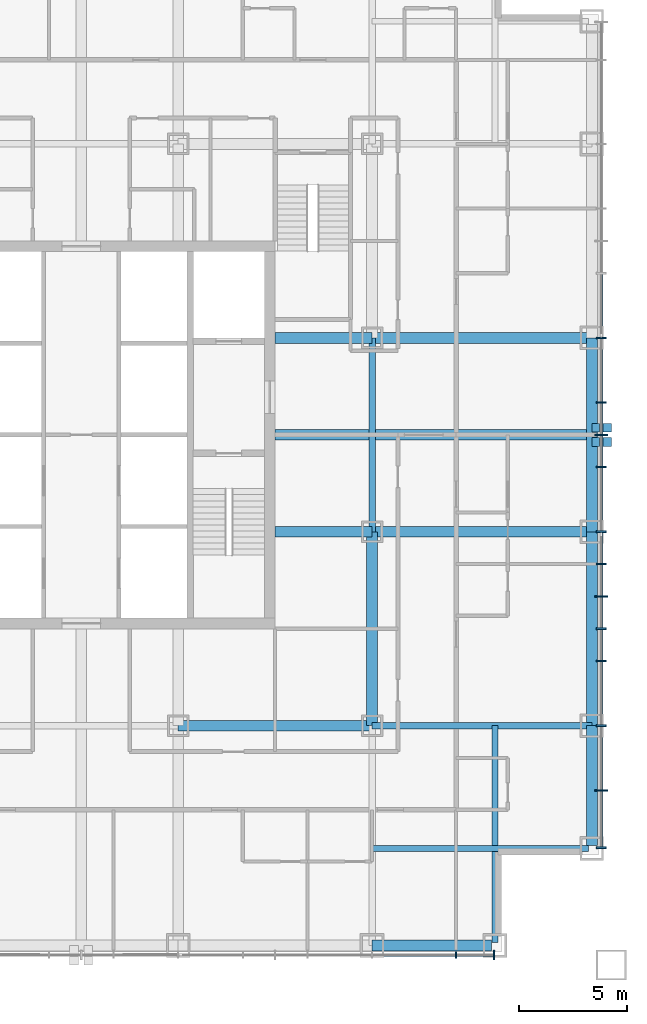
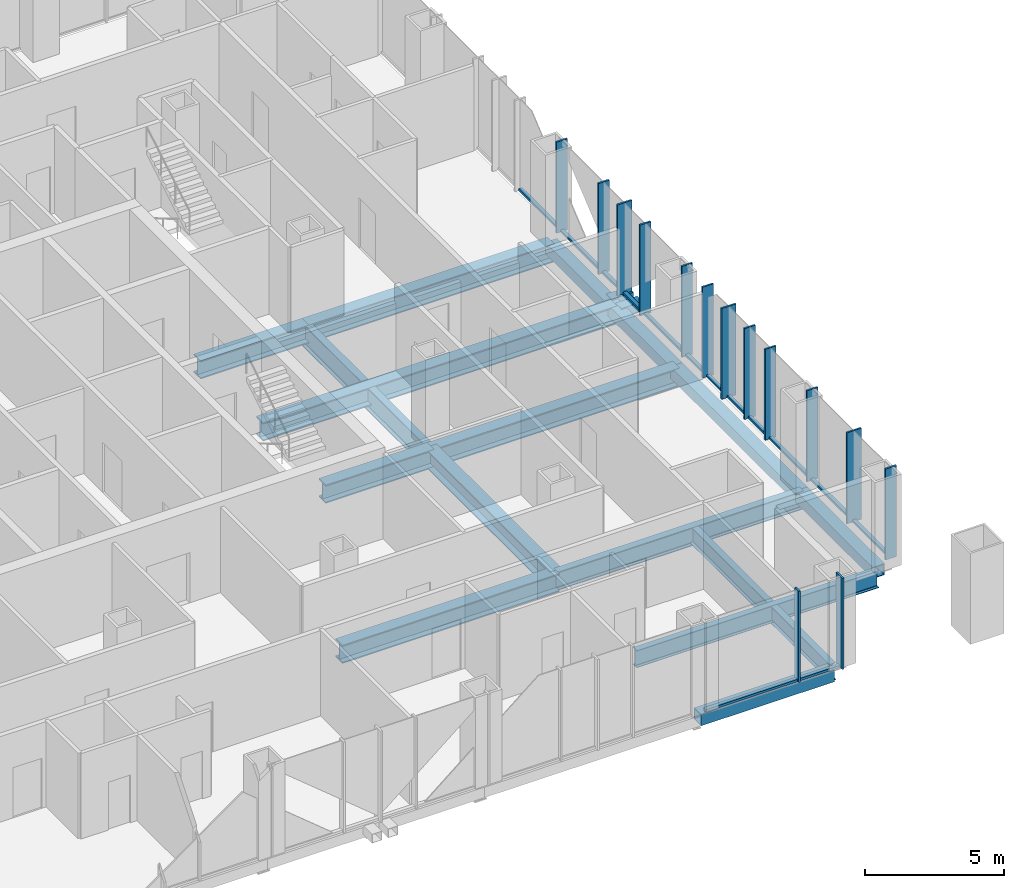
# One storey, part 4 of 17: 30 members, 15 beams, 2 elements without a shape of their own.
"""IFC4 building model written with IfcOpenShell, lengths in metres."""

from ifc_helpers import new_model, si_unit, direction, frame, origin, origin_2d, place, context, subcontext, project, spatial, rectangle, hollow_rectangle, i_section, extrude, material, layer, layer_set, material_profile, profile_set, type_object, element, aggregate, save


model = new_model("IFC4")

# Units and contexts
model_context = context("Model", 3, precision=1e-05, world=origin(), true_north=direction((0.0, 1.0)))
body_context = subcontext(model_context, "Body", "Model", "MODEL_VIEW")
ifc_project = project(units=[si_unit("LENGTHUNIT", "METRE"), si_unit("AREAUNIT", "SQUARE_METRE"), si_unit("VOLUMEUNIT", "CUBIC_METRE"), si_unit("PLANEANGLEUNIT", "RADIAN"), si_unit("MASSUNIT", "GRAM", prefix="KILO")], contexts=[model_context])

# Site, building, storey
site_placement = place(None, origin())
site = spatial("IfcSite", under=ifc_project, at=site_placement, CompositionType="ELEMENT")
building_placement = place(site_placement, origin())
building = spatial("IfcBuilding", under=site, at=building_placement, Name="Malebo Sky Hospital", CompositionType="ELEMENT")
storey_placement = place(building_placement, frame((0.0, 0.0, 120.0)))
storey = spatial("IfcBuildingStorey", under=building, at=storey_placement, Name="L28", CompositionType="ELEMENT", Elevation=120.0)

# Curtain wall, members
ifc_material_1 = material(Name="Anodised aluminium, natural silver", Category="aluminium")
ifc_layer_1 = layer(ifc_material_1, 0.25)
ifc_layer_set_1 = layer_set([ifc_layer_1], Name="WARD CURTAIN WALL NORTH AND SOUTH")
curtain_wall_type_1 = type_object("IfcCurtainWallType", Name="WARD CURTAIN WALL NORTH AND SOUTH", PredefinedType="NOTDEFINED", material=ifc_layer_set_1)
curtain_wall_1_placement = place(storey_placement, origin())
curtain_wall_1 = element("IfcCurtainWall", 1, at=curtain_wall_1_placement, inside=storey, type_object=curtain_wall_type_1, Name="NS curtain wall S", PredefinedType="NOTDEFINED")
ifc_material_profile_1 = material_profile(ifc_material_1, rectangle(XDim=0.14990234375, YDim=0.10009765625, at=origin_2d()), Name="ALUMINIUM TRANSOM 150x100")
ifc_profile_set_1 = profile_set([ifc_material_profile_1], Name="Anodised aluminium, natural silver")
member_type_1 = type_object("IfcMemberType", Name="ALUMINIUM TRANSOM 150x100", PredefinedType="USERDEFINED", material=ifc_profile_set_1)
member_1_placement = place(storey_placement, frame((79.125, 37.864990234375, 0.050048828125), z_axis=(-1.0, 0.0, 0.0), x_axis=(0.0, -1.0, 0.0)))
member_1 = element("IfcMember", 2, at=member_1_placement, type_object=member_type_1, Name="Transom 1", ObjectType="TRANSOM", PredefinedType="USERDEFINED", context=body_context, shape_type="SweptSolid", body=[
    extrude(rectangle(XDim=0.14990234375, YDim=0.10009765625, at=origin_2d()), origin(), (0.0, 0.0, 1.0), 1.6875),
])
member_2_placement = place(storey_placement, frame((77.362548828125, 37.864990234375, 0.050048828125), z_axis=(-1.0, 0.0, 0.0), x_axis=(0.0, -1.0, 0.0)))
member_2 = element("IfcMember", 3, at=member_2_placement, type_object=member_type_1, Name="Transom 2", ObjectType="TRANSOM", PredefinedType="USERDEFINED", context=body_context, shape_type="SweptSolid", body=[
    extrude(rectangle(XDim=0.14990234375, YDim=0.10009765625, at=origin_2d()), origin(), (0.0, 0.0, 1.0), 3.824951171875),
])

ifc_layer_2 = layer(ifc_material_1, 0.25)
ifc_layer_set_2 = layer_set([ifc_layer_2], Name="WARD CURTAIN WALL EAST AND WEST")
curtain_wall_type_2 = type_object("IfcCurtainWallType", Name="WARD CURTAIN WALL EAST AND WEST", PredefinedType="NOTDEFINED", material=ifc_layer_set_2)
curtain_wall_2_placement = place(storey_placement, origin())
curtain_wall_2 = element("IfcCurtainWall", 4, at=curtain_wall_2_placement, inside=storey, type_object=curtain_wall_type_2, Name="EW curtain wall E", PredefinedType="NOTDEFINED")
member_3_placement = place(storey_placement, frame((84.135009765625, 69.46240234375, 0.050048828125), z_axis=(0.0, -1.0, 0.0), x_axis=(1.0, 0.0, 0.0)))
member_3 = element("IfcMember", 5, at=member_3_placement, type_object=member_type_1, Name="Transom 6", ObjectType="TRANSOM", PredefinedType="USERDEFINED", context=body_context, shape_type="SweptSolid", body=[
    extrude(rectangle(XDim=0.14990234375, YDim=0.10009765625, at=origin_2d()), origin(), (0.0, 0.0, 1.0), 2.9248046875),
])
member_4_placement = place(storey_placement, frame((84.135009765625, 66.46240234375, 0.050048828125), z_axis=(0.0, -1.0, 0.0), x_axis=(1.0, 0.0, 0.0)))
member_4 = element("IfcMember", 6, at=member_4_placement, type_object=member_type_1, Name="Transom 7", ObjectType="TRANSOM", PredefinedType="USERDEFINED", context=body_context, shape_type="SweptSolid", body=[
    extrude(rectangle(XDim=0.14990234375, YDim=0.10009765625, at=origin_2d()), origin(), (0.0, 0.0, 1.0), 2.9248046875),
])
member_5_placement = place(storey_placement, frame((84.135009765625, 63.46240234375, 0.050048828125), z_axis=(0.0, -1.0, 0.0), x_axis=(1.0, 0.0, 0.0)))
member_5 = element("IfcMember", 7, at=member_5_placement, type_object=member_type_1, Name="Transom 8", ObjectType="TRANSOM", PredefinedType="USERDEFINED", context=body_context, shape_type="SweptSolid", body=[
    extrude(rectangle(XDim=0.14990234375, YDim=0.10009765625, at=origin_2d()), origin(), (0.0, 0.0, 1.0), 1.4248046875),
])
member_6_placement = place(storey_placement, frame((84.135009765625, 61.96240234375, 0.050048828125), z_axis=(0.0, -1.0, 0.0), x_axis=(1.0, 0.0, 0.0)))
member_6 = element("IfcMember", 8, at=member_6_placement, type_object=member_type_1, Name="Transom 9", ObjectType="TRANSOM", PredefinedType="USERDEFINED", context=body_context, shape_type="SweptSolid", body=[
    extrude(rectangle(XDim=0.14990234375, YDim=0.10009765625, at=origin_2d()), origin(), (0.0, 0.0, 1.0), 1.4248046875),
])
member_7_placement = place(storey_placement, frame((84.135009765625, 60.46240234375, 0.050048828125), z_axis=(0.0, -1.0, 0.0), x_axis=(1.0, 0.0, 0.0)))
member_7 = element("IfcMember", 9, at=member_7_placement, type_object=member_type_1, Name="Transom 10", ObjectType="TRANSOM", PredefinedType="USERDEFINED", context=body_context, shape_type="SweptSolid", body=[
    extrude(rectangle(XDim=0.14990234375, YDim=0.10009765625, at=origin_2d()), origin(), (0.0, 0.0, 1.0), 2.9248046875),
])
member_8_placement = place(storey_placement, frame((84.135009765625, 57.46240234375, 0.050048828125), z_axis=(0.0, -1.0, 0.0), x_axis=(1.0, 0.0, 0.0)))
member_8 = element("IfcMember", 10, at=member_8_placement, type_object=member_type_1, Name="Transom 11", ObjectType="TRANSOM", PredefinedType="USERDEFINED", context=body_context, shape_type="SweptSolid", body=[
    extrude(rectangle(XDim=0.14990234375, YDim=0.10009765625, at=origin_2d()), origin(), (0.0, 0.0, 1.0), 1.4248046875),
])
member_9_placement = place(storey_placement, frame((84.135009765625, 55.96240234375, 0.050048828125), z_axis=(0.0, -1.0, 0.0), x_axis=(1.0, 0.0, 0.0)))
member_9 = element("IfcMember", 11, at=member_9_placement, type_object=member_type_1, Name="Transom 12", ObjectType="TRANSOM", PredefinedType="USERDEFINED", context=body_context, shape_type="SweptSolid", body=[
    extrude(rectangle(XDim=0.14990234375, YDim=0.10009765625, at=origin_2d()), origin(), (0.0, 0.0, 1.0), 1.4248046875),
])
member_10_placement = place(storey_placement, frame((84.135009765625, 54.46240234375, 0.050048828125), z_axis=(0.0, -1.0, 0.0), x_axis=(1.0, 0.0, 0.0)))
member_10 = element("IfcMember", 12, at=member_10_placement, type_object=member_type_1, Name="Transom 13", ObjectType="TRANSOM", PredefinedType="USERDEFINED", context=body_context, shape_type="SweptSolid", body=[
    extrude(rectangle(XDim=0.14990234375, YDim=0.10009765625, at=origin_2d()), origin(), (0.0, 0.0, 1.0), 1.4248046875),
])
member_11_placement = place(storey_placement, frame((84.135009765625, 52.96240234375, 0.050048828125), z_axis=(0.0, -1.0, 0.0), x_axis=(1.0, 0.0, 0.0)))
member_11 = element("IfcMember", 13, at=member_11_placement, type_object=member_type_1, Name="Transom 14", ObjectType="TRANSOM", PredefinedType="USERDEFINED", context=body_context, shape_type="SweptSolid", body=[
    extrude(rectangle(XDim=0.14990234375, YDim=0.10009765625, at=origin_2d()), origin(), (0.0, 0.0, 1.0), 1.4248046875),
])
member_12_placement = place(storey_placement, frame((84.135009765625, 51.46240234375, 0.050048828125), z_axis=(0.0, -1.0, 0.0), x_axis=(1.0, 0.0, 0.0)))
member_12 = element("IfcMember", 14, at=member_12_placement, type_object=member_type_1, Name="Transom 15", ObjectType="TRANSOM", PredefinedType="USERDEFINED", context=body_context, shape_type="SweptSolid", body=[
    extrude(rectangle(XDim=0.14990234375, YDim=0.10009765625, at=origin_2d()), origin(), (0.0, 0.0, 1.0), 2.9248046875),
])
member_13_placement = place(storey_placement, frame((84.135009765625, 48.46240234375, 0.050048828125), z_axis=(0.0, -1.0, 0.0), x_axis=(1.0, 0.0, 0.0)))
member_13 = element("IfcMember", 15, at=member_13_placement, type_object=member_type_1, Name="Transom 16", ObjectType="TRANSOM", PredefinedType="USERDEFINED", context=body_context, shape_type="SweptSolid", body=[
    extrude(rectangle(XDim=0.14990234375, YDim=0.10009765625, at=origin_2d()), origin(), (0.0, 0.0, 1.0), 2.9248046875),
])
member_14_placement = place(storey_placement, frame((84.135009765625, 45.46240234375, 0.050048828125), z_axis=(0.0, -1.0, 0.0), x_axis=(1.0, 0.0, 0.0)))
member_14 = element("IfcMember", 16, at=member_14_placement, type_object=member_type_1, Name="Transom 17", ObjectType="TRANSOM", PredefinedType="USERDEFINED", context=body_context, shape_type="SweptSolid", body=[
    extrude(rectangle(XDim=0.14990234375, YDim=0.10009765625, at=origin_2d()), origin(), (0.0, 0.0, 1.0), 2.58740234375),
])

# Members
ifc_material_2 = material(Name="Steel S355", Category="steel")
ifc_material_profile_2 = material_profile(ifc_material_2, hollow_rectangle(XDim=0.39990234375, YDim=0.39990234375, WallThickness=0.02001953125, at=origin_2d()), Name="SHS 400x20")
ifc_profile_set_2 = profile_set([ifc_material_profile_2], Name="Steel S355")
member_type_2 = type_object("IfcMemberType", Name="BRACE STRUT SHS 400x20", PredefinedType="STRUT", material=ifc_profile_set_2)
for number, where, z_axis, x_axis, name in (
    (17, (84.60009765625, 62.333740234375, -0.39990234375), (-1.0, 0.0, 0.0), (0.0, -1.0, 0.0), "Brace strut BE1 L28"),
    (18, (84.60009765625, 61.666259765625, -0.39990234375), (-1.0, 0.0, 0.0), (0.0, -1.0, 0.0), "Brace strut BE2 L28"),
):
    element("IfcMember", number, at=place(storey_placement, frame(where, z_axis=z_axis, x_axis=x_axis)), inside=storey, type_object=member_type_2, Name=name, PredefinedType="STRUT", context=body_context, shape_type="SweptSolid", body=[
        extrude(hollow_rectangle(XDim=0.39990234375, YDim=0.39990234375, WallThickness=0.02001953125, at=origin_2d()), origin(), (0.0, 0.0, 1.0), 0.900146484375),
    ])

# Member
ifc_material_profile_3 = material_profile(ifc_material_1, rectangle(XDim=0.074951171875, YDim=0.300048828125, at=origin_2d()), Name="CW1 ALUMINIUM FIN MULLION 75x300")
ifc_profile_set_3 = profile_set([ifc_material_profile_3], Name="Anodised aluminium, natural silver")
member_type_3 = type_object("IfcMemberType", Name="CW1 ALUMINIUM FIN MULLION 75x300", PredefinedType="MULLION", material=ifc_profile_set_3)
member_15_placement = place(storey_placement, frame((77.39990234375, 37.864990234375, 0.0), z_axis=(0.0, 0.0, 1.0), x_axis=(-1.0, 0.0, 0.0)))
member_15 = element("IfcMember", 19, at=member_15_placement, type_object=member_type_3, Name="Fin mullion 2", PredefinedType="MULLION", context=body_context, shape_type="SweptSolid", body=[
    extrude(rectangle(XDim=0.074951171875, YDim=0.300048828125, at=origin_2d()), origin(), (0.0, 0.0, 1.0), 4.0),
])

ifc_material_profile_4 = material_profile(ifc_material_1, rectangle(XDim=0.074951171875, YDim=0.449951171875, at=origin_2d()), Name="CW1 ALUMINIUM FIN MULLION 75x450")
ifc_profile_set_4 = profile_set([ifc_material_profile_4], Name="Anodised aluminium, natural silver")
member_type_4 = type_object("IfcMemberType", Name="CW1 ALUMINIUM FIN MULLION 75x450", PredefinedType="MULLION", material=ifc_profile_set_4)
member_16_placement = place(storey_placement, frame((79.16259765625, 37.864990234375, 0.0), z_axis=(0.0, 0.0, 1.0), x_axis=(-1.0, 0.0, 0.0)))
member_16 = element("IfcMember", 20, at=member_16_placement, type_object=member_type_4, Name="Fin mullion 1", PredefinedType="MULLION", context=body_context, shape_type="SweptSolid", body=[
    extrude(rectangle(XDim=0.074951171875, YDim=0.449951171875, at=origin_2d()), origin(), (0.0, 0.0, 1.0), 4.0),
])

aggregate(curtain_wall_1, [member_16, member_15, member_1, member_2])

ifc_material_profile_5 = material_profile(ifc_material_1, rectangle(XDim=0.074951171875, YDim=0.449951171875, at=origin_2d()), Name="CW2 ALUMINIUM FIN MULLION 75x450")
ifc_profile_set_5 = profile_set([ifc_material_profile_5], Name="Anodised aluminium, natural silver")
member_type_5 = type_object("IfcMemberType", Name="CW2 ALUMINIUM FIN MULLION 75x450", PredefinedType="MULLION", material=ifc_profile_set_5)
member_17_placement = place(storey_placement, frame((84.135009765625, 66.5, 0.0), z_axis=(0.0, 0.0, 1.0), x_axis=(0.0, -1.0, 0.0)))
member_17 = element("IfcMember", 21, at=member_17_placement, type_object=member_type_5, Name="Fin mullion 7", PredefinedType="MULLION", context=body_context, shape_type="SweptSolid", body=[
    extrude(rectangle(XDim=0.074951171875, YDim=0.449951171875, at=origin_2d()), origin(), (0.0, 0.0, 1.0), 4.0),
])

member_18_placement = place(storey_placement, frame((84.135009765625, 63.5, 0.0), z_axis=(0.0, 0.0, 1.0), x_axis=(0.0, -1.0, 0.0)))
member_18 = element("IfcMember", 22, at=member_18_placement, type_object=member_type_5, Name="Fin mullion 8", PredefinedType="MULLION", context=body_context, shape_type="SweptSolid", body=[
    extrude(rectangle(XDim=0.074951171875, YDim=0.449951171875, at=origin_2d()), origin(), (0.0, 0.0, 1.0), 4.0),
])

member_19_placement = place(storey_placement, frame((84.135009765625, 60.5, 0.0), z_axis=(0.0, 0.0, 1.0), x_axis=(0.0, -1.0, 0.0)))
member_19 = element("IfcMember", 23, at=member_19_placement, type_object=member_type_5, Name="Fin mullion 10", PredefinedType="MULLION", context=body_context, shape_type="SweptSolid", body=[
    extrude(rectangle(XDim=0.074951171875, YDim=0.449951171875, at=origin_2d()), origin(), (0.0, 0.0, 1.0), 4.0),
])

member_20_placement = place(storey_placement, frame((84.135009765625, 57.5, 0.0), z_axis=(0.0, 0.0, 1.0), x_axis=(0.0, -1.0, 0.0)))
member_20 = element("IfcMember", 24, at=member_20_placement, type_object=member_type_5, Name="Fin mullion 11", PredefinedType="MULLION", context=body_context, shape_type="SweptSolid", body=[
    extrude(rectangle(XDim=0.074951171875, YDim=0.449951171875, at=origin_2d()), origin(), (0.0, 0.0, 1.0), 4.0),
])

member_21_placement = place(storey_placement, frame((84.135009765625, 56.0, 0.0), z_axis=(0.0, 0.0, 1.0), x_axis=(0.0, -1.0, 0.0)))
member_21 = element("IfcMember", 25, at=member_21_placement, type_object=member_type_5, Name="Fin mullion 12", PredefinedType="MULLION", context=body_context, shape_type="SweptSolid", body=[
    extrude(rectangle(XDim=0.074951171875, YDim=0.449951171875, at=origin_2d()), origin(), (0.0, 0.0, 1.0), 4.0),
])

member_22_placement = place(storey_placement, frame((84.135009765625, 53.0, 0.0), z_axis=(0.0, 0.0, 1.0), x_axis=(0.0, -1.0, 0.0)))
member_22 = element("IfcMember", 26, at=member_22_placement, type_object=member_type_5, Name="Fin mullion 14", PredefinedType="MULLION", context=body_context, shape_type="SweptSolid", body=[
    extrude(rectangle(XDim=0.074951171875, YDim=0.449951171875, at=origin_2d()), origin(), (0.0, 0.0, 1.0), 4.0),
])

member_23_placement = place(storey_placement, frame((84.135009765625, 51.5, 0.0), z_axis=(0.0, 0.0, 1.0), x_axis=(0.0, -1.0, 0.0)))
member_23 = element("IfcMember", 27, at=member_23_placement, type_object=member_type_5, Name="Fin mullion 15", PredefinedType="MULLION", context=body_context, shape_type="SweptSolid", body=[
    extrude(rectangle(XDim=0.074951171875, YDim=0.449951171875, at=origin_2d()), origin(), (0.0, 0.0, 1.0), 4.0),
])

member_24_placement = place(storey_placement, frame((84.135009765625, 48.5, 0.0), z_axis=(0.0, 0.0, 1.0), x_axis=(0.0, -1.0, 0.0)))
member_24 = element("IfcMember", 28, at=member_24_placement, type_object=member_type_5, Name="Fin mullion 16", PredefinedType="MULLION", context=body_context, shape_type="SweptSolid", body=[
    extrude(rectangle(XDim=0.074951171875, YDim=0.449951171875, at=origin_2d()), origin(), (0.0, 0.0, 1.0), 4.0),
])

member_25_placement = place(storey_placement, frame((84.135009765625, 42.83740234375, 0.0), z_axis=(0.0, 0.0, 1.0), x_axis=(0.0, -1.0, 0.0)))
member_25 = element("IfcMember", 29, at=member_25_placement, type_object=member_type_5, Name="Fin mullion 18", PredefinedType="MULLION", context=body_context, shape_type="SweptSolid", body=[
    extrude(rectangle(XDim=0.074951171875, YDim=0.449951171875, at=origin_2d()), origin(), (0.0, 0.0, 1.0), 4.0),
])

ifc_material_profile_6 = material_profile(ifc_material_1, rectangle(XDim=0.074951171875, YDim=0.60009765625, at=origin_2d()), Name="CW2 ALUMINIUM FIN MULLION 75x600")
ifc_profile_set_6 = profile_set([ifc_material_profile_6], Name="Anodised aluminium, natural silver")
member_type_6 = type_object("IfcMemberType", Name="CW2 ALUMINIUM FIN MULLION 75x600", PredefinedType="MULLION", material=ifc_profile_set_6)
member_26_placement = place(storey_placement, frame((84.135009765625, 62.0, 0.0), z_axis=(0.0, 0.0, 1.0), x_axis=(0.0, -1.0, 0.0)))
member_26 = element("IfcMember", 30, at=member_26_placement, type_object=member_type_6, Name="Fin mullion 9", PredefinedType="MULLION", context=body_context, shape_type="SweptSolid", body=[
    extrude(rectangle(XDim=0.074951171875, YDim=0.60009765625, at=origin_2d()), origin(), (0.0, 0.0, 1.0), 4.0),
])

member_27_placement = place(storey_placement, frame((84.135009765625, 54.5, 0.0), z_axis=(0.0, 0.0, 1.0), x_axis=(0.0, -1.0, 0.0)))
member_27 = element("IfcMember", 31, at=member_27_placement, type_object=member_type_6, Name="Fin mullion 13", PredefinedType="MULLION", context=body_context, shape_type="SweptSolid", body=[
    extrude(rectangle(XDim=0.074951171875, YDim=0.60009765625, at=origin_2d()), origin(), (0.0, 0.0, 1.0), 4.0),
])

member_28_placement = place(storey_placement, frame((84.135009765625, 45.5, 0.0), z_axis=(0.0, 0.0, 1.0), x_axis=(0.0, -1.0, 0.0)))
member_28 = element("IfcMember", 32, at=member_28_placement, type_object=member_type_6, Name="Fin mullion 17", PredefinedType="MULLION", context=body_context, shape_type="SweptSolid", body=[
    extrude(rectangle(XDim=0.074951171875, YDim=0.60009765625, at=origin_2d()), origin(), (0.0, 0.0, 1.0), 4.0),
])

aggregate(curtain_wall_2, [member_17, member_18, member_26, member_19, member_20, member_21, member_27, member_22, member_23, member_24, member_28, member_25, member_3, member_4, member_5, member_6, member_7, member_8, member_9, member_10, member_11, member_12, member_13, member_14])

# Beams
ifc_material_3 = material(Name="Steel S460", Category="steel")
ifc_material_profile_7 = material_profile(ifc_material_3, hollow_rectangle(XDim=0.5, YDim=0.5, WallThickness=0.030029296875, at=origin_2d()), Name="BOX 500x500x30")
ifc_profile_set_7 = profile_set([ifc_material_profile_7], Name="Steel S460")
beam_type_1 = type_object("IfcBeamType", Name="EDGE BEAM BOX 500x500x30", PredefinedType="BEAM", material=ifc_profile_set_7)
beam_1_placement = place(storey_placement, frame((83.699951171875, 42.949951171875, -0.5), z_axis=(0.0, 1.0, 0.0), x_axis=(-1.0, 0.0, 0.0)))
element("IfcBeam", 33, at=beam_1_placement, inside=storey, type_object=beam_type_1, Name="Beam 029 L28", PredefinedType="BEAM", context=body_context, shape_type="SweptSolid", body=[
    extrude(hollow_rectangle(XDim=0.5, YDim=0.5, WallThickness=0.030029296875, at=origin_2d()), origin(), (0.0, 0.0, 1.0), 5.550048828125),
])
for number, where, z_axis, x_axis, name in (
    (34, (83.699951171875, 48.5, -0.5), (0.0, 1.0, 0.0), (-1.0, 0.0, 0.0), "Beam 030 L28"),
    (35, (83.699951171875, 57.5, -0.5), (0.0, 1.0, 0.0), (-1.0, 0.0, 0.0), "Beam 031 L28"),
):
    element("IfcBeam", number, at=place(storey_placement, frame(where, z_axis=z_axis, x_axis=x_axis)), inside=storey, type_object=beam_type_1, Name=name, PredefinedType="BEAM", context=body_context, shape_type="SweptSolid", body=[
        extrude(hollow_rectangle(XDim=0.5, YDim=0.5, WallThickness=0.030029296875, at=origin_2d()), origin(), (0.0, 0.0, 1.0), 9.0),
    ])
beam_2_placement = place(storey_placement, frame((73.5, 38.300048828125, -0.5), z_axis=(1.0, 0.0, 0.0), x_axis=(0.0, 1.0, 0.0)))
element("IfcBeam", 36, at=beam_2_placement, inside=storey, type_object=beam_type_1, Name="Beam 038 L28", PredefinedType="BEAM", context=body_context, shape_type="SweptSolid", body=[
    extrude(hollow_rectangle(XDim=0.5, YDim=0.5, WallThickness=0.030029296875, at=origin_2d()), origin(), (0.0, 0.0, 1.0), 5.550048828125),
])
ifc_material_profile_8 = material_profile(ifc_material_2, i_section(OverallWidth=0.262939453125, OverallDepth=0.7529296875, WebThickness=0.011474609375, FlangeThickness=0.01708984375, FilletRadius=0.01708984375, at=origin_2d()), Name="IPE 750x137")
ifc_profile_set_8 = profile_set([ifc_material_profile_8], Name="Steel S355")
beam_type_2 = type_object("IfcBeamType", Name="FLOOR BEAM IPE 750x137", PredefinedType="BEAM", material=ifc_profile_set_8)
for number, where, z_axis, x_axis, name in (
    (37, (79.199951171875, 38.449951171875, -0.62646484375), (0.0, 1.0, 0.0), (-1.0, 0.0, 0.0), "Beam 027 L28"),
    (38, (73.5, 42.800048828125, -0.62646484375), (1.0, 0.0, 0.0), (0.0, 1.0, 0.0), "Beam 040 L28"),
):
    element("IfcBeam", number, at=place(storey_placement, frame(where, z_axis=z_axis, x_axis=x_axis)), inside=storey, type_object=beam_type_2, Name=name, PredefinedType="BEAM", context=body_context, shape_type="SweptSolid", body=[
        extrude(i_section(OverallWidth=0.262939453125, OverallDepth=0.7529296875, WebThickness=0.011474609375, FlangeThickness=0.01708984375, FilletRadius=0.01708984375, at=origin_2d()), origin(), (0.0, 0.0, 1.0), 10.050048828125),
    ])
ifc_material_profile_9 = material_profile(ifc_material_2, i_section(OverallWidth=0.5, OverallDepth=0.800048828125, WebThickness=0.030029296875, FlangeThickness=0.050048828125, at=origin_2d()), Name="PG 800x500x30x50")
ifc_profile_set_9 = profile_set([ifc_material_profile_9], Name="Steel S355")
beam_type_3 = type_object("IfcBeamType", Name="FLOOR BEAM PG 800x500x30x50", PredefinedType="BEAM", material=ifc_profile_set_9)
for number, where, z_axis, x_axis, name in (
    (39, (73.5, 48.5, -0.64990234375), (0.0, 1.0, 0.0), (-1.0, 0.0, 0.0), "Beam 023 L28"),
    (40, (64.5, 48.5, -0.64990234375), (1.0, 0.0, 0.0), (0.0, 1.0, 0.0), "Beam 044 L28"),
):
    element("IfcBeam", number, at=place(storey_placement, frame(where, z_axis=z_axis, x_axis=x_axis)), inside=storey, type_object=beam_type_3, Name=name, PredefinedType="BEAM", context=body_context, shape_type="SweptSolid", body=[
        extrude(i_section(OverallWidth=0.5, OverallDepth=0.800048828125, WebThickness=0.030029296875, FlangeThickness=0.050048828125, at=origin_2d()), origin(), (0.0, 0.0, 1.0), 9.0),
    ])
beam_3_placement = place(storey_placement, frame((69.0, 57.5, -0.64990234375), z_axis=(1.0, 0.0, 0.0), x_axis=(0.0, 1.0, 0.0)))
element("IfcBeam", 41, at=beam_3_placement, inside=storey, type_object=beam_type_3, Name="Beam 048 L28", PredefinedType="BEAM", context=body_context, shape_type="SweptSolid", body=[
    extrude(i_section(OverallWidth=0.5, OverallDepth=0.800048828125, WebThickness=0.030029296875, FlangeThickness=0.050048828125, at=origin_2d()), origin(), (0.0, 0.0, 1.0), 4.5),
])
beam_4_placement = place(storey_placement, frame((73.5, 57.5, -0.64990234375), z_axis=(1.0, 0.0, 0.0), x_axis=(0.0, 1.0, 0.0)))
element("IfcBeam", 42, at=beam_4_placement, inside=storey, type_object=beam_type_3, Name="Beam 049 L28", PredefinedType="BEAM", context=body_context, shape_type="SweptSolid", body=[
    extrude(i_section(OverallWidth=0.5, OverallDepth=0.800048828125, WebThickness=0.030029296875, FlangeThickness=0.050048828125, at=origin_2d()), origin(), (0.0, 0.0, 1.0), 10.199951171875),
])
beam_5_placement = place(storey_placement, frame((69.0, 62.0, -0.64990234375), z_axis=(1.0, 0.0, 0.0), x_axis=(0.0, 1.0, 0.0)))
element("IfcBeam", 43, at=beam_5_placement, inside=storey, type_object=beam_type_3, Name="Beam 051 L28", PredefinedType="BEAM", context=body_context, shape_type="SweptSolid", body=[
    extrude(i_section(OverallWidth=0.5, OverallDepth=0.800048828125, WebThickness=0.030029296875, FlangeThickness=0.050048828125, at=origin_2d()), origin(), (0.0, 0.0, 1.0), 14.699951171875),
])
beam_6_placement = place(storey_placement, frame((69.0, 66.5, -0.64990234375), z_axis=(1.0, 0.0, 0.0), x_axis=(0.0, 1.0, 0.0)))
element("IfcBeam", 44, at=beam_6_placement, inside=storey, type_object=beam_type_3, Name="Beam 054 L28", PredefinedType="BEAM", context=body_context, shape_type="SweptSolid", body=[
    extrude(i_section(OverallWidth=0.5, OverallDepth=0.800048828125, WebThickness=0.030029296875, FlangeThickness=0.050048828125, at=origin_2d()), origin(), (0.0, 0.0, 1.0), 4.5),
])
beam_7_placement = place(storey_placement, frame((73.5, 66.5, -0.64990234375), z_axis=(1.0, 0.0, 0.0), x_axis=(0.0, 1.0, 0.0)))
element("IfcBeam", 45, at=beam_7_placement, inside=storey, type_object=beam_type_3, Name="Beam 055 L28", PredefinedType="BEAM", context=body_context, shape_type="SweptSolid", body=[
    extrude(i_section(OverallWidth=0.5, OverallDepth=0.800048828125, WebThickness=0.030029296875, FlangeThickness=0.050048828125, at=origin_2d()), origin(), (0.0, 0.0, 1.0), 10.199951171875),
])
ifc_material_profile_10 = material_profile(ifc_material_2, i_section(OverallWidth=0.300048828125, OverallDepth=0.800048828125, WebThickness=0.017578125, FlangeThickness=0.032958984375, FilletRadius=0.030029296875, at=origin_2d()), Name="HEB 800")
ifc_profile_set_10 = profile_set([ifc_material_profile_10], Name="Steel S355")
beam_type_4 = type_object("IfcBeamType", Name="FLOOR GIRDER HEB 800", PredefinedType="BEAM", material=ifc_profile_set_10)
beam_8_placement = place(storey_placement, frame((73.5, 48.5, -0.64990234375), z_axis=(1.0, 0.0, 0.0), x_axis=(0.0, 1.0, 0.0)))
element("IfcBeam", 46, at=beam_8_placement, inside=storey, type_object=beam_type_4, Name="Beam 045 L28", PredefinedType="BEAM", context=body_context, shape_type="SweptSolid", body=[
    extrude(i_section(OverallWidth=0.300048828125, OverallDepth=0.800048828125, WebThickness=0.017578125, FlangeThickness=0.032958984375, FilletRadius=0.030029296875, at=origin_2d()), origin(), (0.0, 0.0, 1.0), 10.199951171875),
])
ifc_material_profile_11 = material_profile(ifc_material_2, i_section(OverallWidth=0.300048828125, OverallDepth=1.0, WebThickness=0.01904296875, FlangeThickness=0.035888671875, FilletRadius=0.030029296875, at=origin_2d()), Name="HEB 1000")
ifc_profile_set_11 = profile_set([ifc_material_profile_11], Name="Steel S355")
beam_type_5 = type_object("IfcBeamType", Name="RING GIRDER HEB 1000", PredefinedType="BEAM", material=ifc_profile_set_11)
beam_9_placement = place(storey_placement, frame((73.5, 57.5, -0.75), z_axis=(0.0, 1.0, 0.0), x_axis=(-1.0, 0.0, 0.0)))
element("IfcBeam", 47, at=beam_9_placement, inside=storey, type_object=beam_type_5, Name="Beam 024 L28", PredefinedType="BEAM", context=body_context, shape_type="SweptSolid", body=[
    extrude(i_section(OverallWidth=0.300048828125, OverallDepth=1.0, WebThickness=0.01904296875, FlangeThickness=0.035888671875, FilletRadius=0.030029296875, at=origin_2d()), origin(), (0.0, 0.0, 1.0), 9.0),
])

save(model, "model.ifc")
